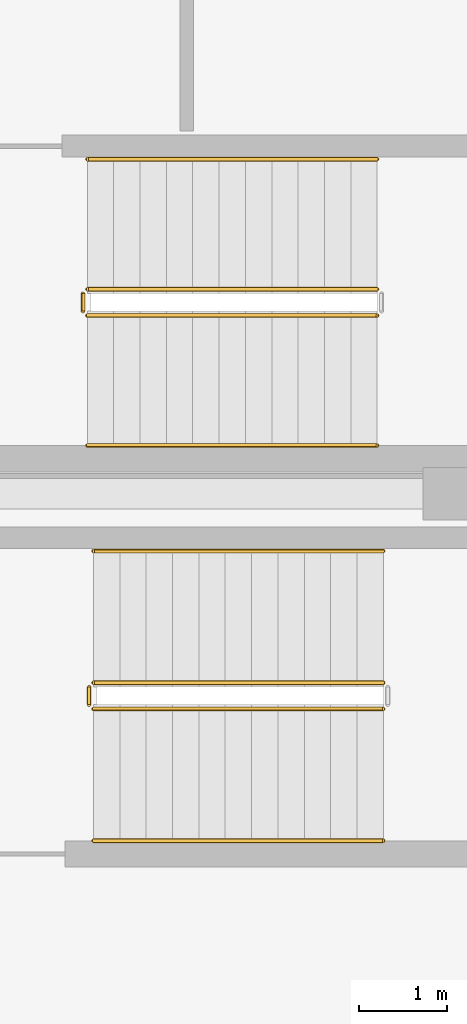
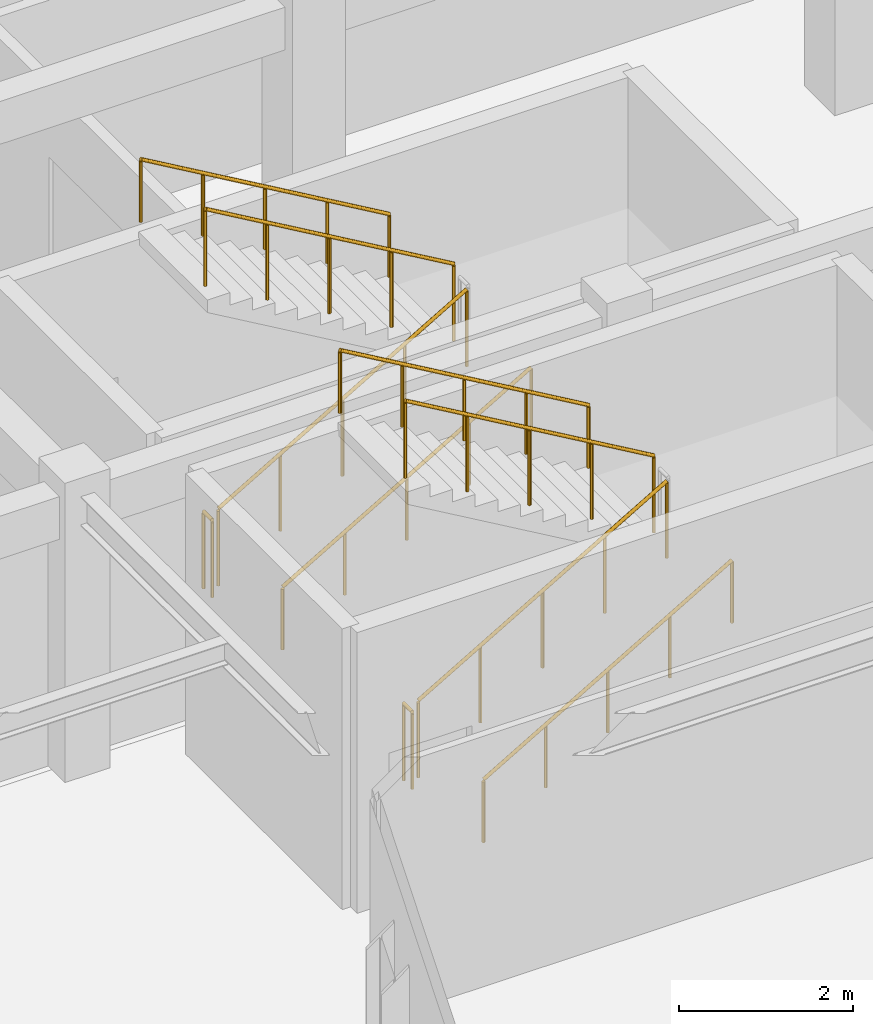
# One storey, part 109 of 113: 10 railings.
"""IFC4 building model written with IfcOpenShell, lengths in metres."""

from ifc_helpers import new_model, si_unit, direction, frame, origin, origin_2d, place, context, subcontext, project, spatial, circle, extrude, material, layer, layer_set, type_object, element, save


model = new_model("IFC4")

# Units and contexts
model_context = context("Model", 3, precision=1e-05, world=origin(), true_north=direction((0.0, 1.0)))
body_context = subcontext(model_context, "Body", "Model", "MODEL_VIEW")
ifc_project = project(units=[si_unit("LENGTHUNIT", "METRE"), si_unit("AREAUNIT", "SQUARE_METRE"), si_unit("VOLUMEUNIT", "CUBIC_METRE"), si_unit("PLANEANGLEUNIT", "RADIAN"), si_unit("MASSUNIT", "GRAM", prefix="KILO")], contexts=[model_context])

# Site, building, storey
site_placement = place(None, origin())
site = spatial("IfcSite", under=ifc_project, at=site_placement, CompositionType="ELEMENT")
building_placement = place(site_placement, origin())
building = spatial("IfcBuilding", under=site, at=building_placement, Name="Carrowvane Square Congress Hotel", CompositionType="ELEMENT")
storey_placement = place(building_placement, frame((0.0, 0.0, 15.0)))
storey = spatial("IfcBuildingStorey", under=building, at=storey_placement, Name="L03", CompositionType="ELEMENT", Elevation=15.0)

# Railings
ifc_material_1 = material(Name="Stainless steel 316", Category="steel")
ifc_layer_1 = layer(ifc_material_1, 0.048095703125)
ifc_layer_set_1 = layer_set([ifc_layer_1], Name="Stainless steel 316")
railing_type_1 = type_object("IfcRailingType", Name="RLG-HR-900", PredefinedType="HANDRAIL", material=ifc_layer_set_1)
railing_1_placement = place(storey_placement, frame((137.14990234375, 87.85009765625, 0.175048828125)))
element("IfcRailing", 1, at=railing_1_placement, inside=storey, type_object=railing_type_1, Name="L03 ST8 stair handrail 1", PredefinedType="HANDRAIL", context=body_context, shape_type="SweptSolid", body=[
    extrude(circle(Radius=0.02392578125, at=origin_2d()), frame((0.0, 0.0, 0.8759765625), z_axis=(0.863776583165, 0.0, 0.503874998761), x_axis=(0.0, 1.0, 0.0)), (0.0, 0.0, 1.0), 3.820556640625),
    extrude(circle(Radius=0.02099609375, at=origin_2d()), origin(), (0.0, 0.0, 1.0), 0.851806640625),
    extrude(circle(Radius=0.02099609375, at=origin_2d()), frame((0.824951171875, 0.0, 0.481201171875)), (0.0, 0.0, 1.0), 0.851806640625),
    extrude(circle(Radius=0.02099609375, at=origin_2d()), frame((1.64990234375, 0.0, 0.96240234375)), (0.0, 0.0, 1.0), 0.851806640625),
    extrude(circle(Radius=0.02099609375, at=origin_2d()), frame((2.47509765625, 0.0, 1.44384765625)), (0.0, 0.0, 1.0), 0.851806640625),
    extrude(circle(Radius=0.02099609375, at=origin_2d()), frame((3.300048828125, 0.0, 1.925048828125)), (0.0, 0.0, 1.0), 0.851806640625),
])
railing_2_placement = place(storey_placement, frame((140.449951171875, 91.14990234375, 2.27490234375)))
element("IfcRailing", 2, at=railing_2_placement, inside=storey, type_object=railing_type_1, Name="L03 ST8 stair handrail 2", PredefinedType="HANDRAIL", context=body_context, shape_type="SweptSolid", body=[
    extrude(circle(Radius=0.02392578125, at=origin_2d()), frame((0.0, 0.0, 0.8759765625), z_axis=(-0.863776583165, 0.0, 0.503874998761), x_axis=(0.0, -1.0, 0.0)), (0.0, 0.0, 1.0), 3.820556640625),
    extrude(circle(Radius=0.02099609375, at=origin_2d()), origin(), (0.0, 0.0, 1.0), 0.851806640625),
    extrude(circle(Radius=0.02099609375, at=origin_2d()), frame((-0.824951171875, 0.0, 0.481201171875)), (0.0, 0.0, 1.0), 0.851806640625),
    extrude(circle(Radius=0.02099609375, at=origin_2d()), frame((-1.64990234375, 0.0, 0.96240234375)), (0.0, 0.0, 1.0), 0.851806640625),
    extrude(circle(Radius=0.02099609375, at=origin_2d()), frame((-2.47509765625, 0.0, 1.44384765625)), (0.0, 0.0, 1.0), 0.851806640625),
    extrude(circle(Radius=0.02099609375, at=origin_2d()), frame((-3.300048828125, 0.0, 1.925048828125)), (0.0, 0.0, 1.0), 0.851806640625),
])
railing_3_placement = place(storey_placement, frame((137.080078125, 92.35009765625, 0.175048828125)))
element("IfcRailing", 3, at=railing_3_placement, inside=storey, type_object=railing_type_1, Name="L03 ST12 stair handrail 1", PredefinedType="HANDRAIL", context=body_context, shape_type="SweptSolid", body=[
    extrude(circle(Radius=0.02392578125, at=origin_2d()), frame((0.0, 0.0, 0.8759765625), z_axis=(0.863760357493, 0.0, 0.503902812876), x_axis=(0.0, 1.0, 0.0)), (0.0, 0.0, 1.0), 3.8203125),
    extrude(circle(Radius=0.02099609375, at=origin_2d()), origin(), (0.0, 0.0, 1.0), 0.851806640625),
    extrude(circle(Radius=0.02099609375, at=origin_2d()), frame((0.824951171875, 0.0, 0.481201171875)), (0.0, 0.0, 1.0), 0.851806640625),
    extrude(circle(Radius=0.02099609375, at=origin_2d()), frame((1.64990234375, 0.0, 0.96240234375)), (0.0, 0.0, 1.0), 0.851806640625),
    extrude(circle(Radius=0.02099609375, at=origin_2d()), frame((2.474853515625, 0.0, 1.44384765625)), (0.0, 0.0, 1.0), 0.851806640625),
    extrude(circle(Radius=0.02099609375, at=origin_2d()), frame((3.2998046875, 0.0, 1.925048828125)), (0.0, 0.0, 1.0), 0.851806640625),
])
railing_4_placement = place(storey_placement, frame((140.3798828125, 95.610107421875, 2.27490234375)))
element("IfcRailing", 4, at=railing_4_placement, inside=storey, type_object=railing_type_1, Name="L03 ST12 stair handrail 2", PredefinedType="HANDRAIL", context=body_context, shape_type="SweptSolid", body=[
    extrude(circle(Radius=0.02392578125, at=origin_2d()), frame((0.0, 0.0, 0.8759765625), z_axis=(-0.863760357493, 0.0, 0.503902812876), x_axis=(0.0, -1.0, 0.0)), (0.0, 0.0, 1.0), 3.8203125),
    extrude(circle(Radius=0.02099609375, at=origin_2d()), origin(), (0.0, 0.0, 1.0), 0.851806640625),
    extrude(circle(Radius=0.02099609375, at=origin_2d()), frame((-0.824951171875, 0.0, 0.481201171875)), (0.0, 0.0, 1.0), 0.851806640625),
    extrude(circle(Radius=0.02099609375, at=origin_2d()), frame((-1.64990234375, 0.0, 0.96240234375)), (0.0, 0.0, 1.0), 0.851806640625),
    extrude(circle(Radius=0.02099609375, at=origin_2d()), frame((-2.474853515625, 0.0, 1.44384765625)), (0.0, 0.0, 1.0), 0.851806640625),
    extrude(circle(Radius=0.02099609375, at=origin_2d()), frame((-3.2998046875, 0.0, 1.925048828125)), (0.0, 0.0, 1.0), 0.851806640625),
])
ifc_material_2 = material(Name="Galvanised steel", Category="steel")
ifc_layer_2 = layer(ifc_material_2, 0.048095703125)
ifc_layer_set_2 = layer_set([ifc_layer_2], Name="Galvanised steel")
railing_type_2 = type_object("IfcRailingType", Name="RLG-STG-1100", PredefinedType="GUARDRAIL", material=ifc_layer_set_2)
railing_5_placement = place(storey_placement, frame((137.14990234375, 89.35009765625, 0.175048828125)))
element("IfcRailing", 5, at=railing_5_placement, inside=storey, type_object=railing_type_2, Name="L03 ST8 stair guard 1", PredefinedType="GUARDRAIL", context=body_context, shape_type="SweptSolid", body=[
    extrude(circle(Radius=0.02392578125, at=origin_2d()), frame((0.0, 0.0, 1.076171875), z_axis=(0.863776583165, 0.0, 0.503874998761), x_axis=(0.0, 1.0, 0.0)), (0.0, 0.0, 1.0), 3.820556640625),
    extrude(circle(Radius=0.02099609375, at=origin_2d()), origin(), (0.0, 0.0, 1.0), 1.052001953125),
    extrude(circle(Radius=0.02099609375, at=origin_2d()), frame((0.824951171875, 0.0, 0.481201171875)), (0.0, 0.0, 1.0), 1.052001953125),
    extrude(circle(Radius=0.02099609375, at=origin_2d()), frame((1.64990234375, 0.0, 0.96240234375)), (0.0, 0.0, 1.0), 1.052001953125),
    extrude(circle(Radius=0.02099609375, at=origin_2d()), frame((2.47509765625, 0.0, 1.44384765625)), (0.0, 0.0, 1.0), 1.052001953125),
    extrude(circle(Radius=0.02099609375, at=origin_2d()), frame((3.300048828125, 0.0, 1.925048828125)), (0.0, 0.0, 1.0), 1.052001953125),
])
railing_6_placement = place(storey_placement, frame((140.449951171875, 89.64990234375, 2.27490234375)))
element("IfcRailing", 6, at=railing_6_placement, inside=storey, type_object=railing_type_2, Name="L03 ST8 stair guard 3", PredefinedType="GUARDRAIL", context=body_context, shape_type="SweptSolid", body=[
    extrude(circle(Radius=0.02392578125, at=origin_2d()), frame((0.0, 0.0, 1.076171875), z_axis=(-0.863776583165, 0.0, 0.503874998761), x_axis=(0.0, -1.0, 0.0)), (0.0, 0.0, 1.0), 3.820556640625),
    extrude(circle(Radius=0.02099609375, at=origin_2d()), origin(), (0.0, 0.0, 1.0), 1.052001953125),
    extrude(circle(Radius=0.02099609375, at=origin_2d()), frame((-0.824951171875, 0.0, 0.481201171875)), (0.0, 0.0, 1.0), 1.052001953125),
    extrude(circle(Radius=0.02099609375, at=origin_2d()), frame((-1.64990234375, 0.0, 0.96240234375)), (0.0, 0.0, 1.0), 1.052001953125),
    extrude(circle(Radius=0.02099609375, at=origin_2d()), frame((-2.47509765625, 0.0, 1.44384765625)), (0.0, 0.0, 1.0), 1.052001953125),
    extrude(circle(Radius=0.02099609375, at=origin_2d()), frame((-3.300048828125, 0.0, 1.925048828125)), (0.0, 0.0, 1.0), 1.052001953125),
])
railing_7_placement = place(storey_placement, frame((137.10009765625, 89.39990234375, 0.0)))
element("IfcRailing", 7, at=railing_7_placement, inside=storey, type_object=railing_type_2, Name="L03 ST8 stair guard 4", PredefinedType="GUARDRAIL", context=body_context, shape_type="SweptSolid", body=[
    extrude(circle(Radius=0.02392578125, at=origin_2d()), frame((0.0, 0.0, 1.076171875), z_axis=(0.0, 1.0, 0.0), x_axis=(-1.0, 0.0, 0.0)), (0.0, 0.0, 1.0), 0.2001953125),
    extrude(circle(Radius=0.02099609375, at=origin_2d()), origin(), (0.0, 0.0, 1.0), 1.052001953125),
    extrude(circle(Radius=0.02099609375, at=origin_2d()), frame((0.0, 0.2001953125, 0.0)), (0.0, 0.0, 1.0), 1.052001953125),
])
railing_8_placement = place(storey_placement, frame((137.080078125, 93.830078125, 0.175048828125)))
element("IfcRailing", 8, at=railing_8_placement, inside=storey, type_object=railing_type_2, Name="L03 ST12 stair guard 1", PredefinedType="GUARDRAIL", context=body_context, shape_type="SweptSolid", body=[
    extrude(circle(Radius=0.02392578125, at=origin_2d()), frame((0.0, 0.0, 1.076171875), z_axis=(0.863760357493, 0.0, 0.503902812876), x_axis=(0.0, 1.0, 0.0)), (0.0, 0.0, 1.0), 3.8203125),
    extrude(circle(Radius=0.02099609375, at=origin_2d()), origin(), (0.0, 0.0, 1.0), 1.052001953125),
    extrude(circle(Radius=0.02099609375, at=origin_2d()), frame((0.824951171875, 0.0, 0.481201171875)), (0.0, 0.0, 1.0), 1.052001953125),
    extrude(circle(Radius=0.02099609375, at=origin_2d()), frame((1.64990234375, 0.0, 0.96240234375)), (0.0, 0.0, 1.0), 1.052001953125),
    extrude(circle(Radius=0.02099609375, at=origin_2d()), frame((2.474853515625, 0.0, 1.44384765625)), (0.0, 0.0, 1.0), 1.052001953125),
    extrude(circle(Radius=0.02099609375, at=origin_2d()), frame((3.2998046875, 0.0, 1.925048828125)), (0.0, 0.0, 1.0), 1.052001953125),
])
railing_9_placement = place(storey_placement, frame((140.3798828125, 94.1298828125, 2.27490234375)))
element("IfcRailing", 9, at=railing_9_placement, inside=storey, type_object=railing_type_2, Name="L03 ST12 stair guard 3", PredefinedType="GUARDRAIL", context=body_context, shape_type="SweptSolid", body=[
    extrude(circle(Radius=0.02392578125, at=origin_2d()), frame((0.0, 0.0, 1.076171875), z_axis=(-0.863760357493, 0.0, 0.503902812876), x_axis=(0.0, -1.0, 0.0)), (0.0, 0.0, 1.0), 3.8203125),
    extrude(circle(Radius=0.02099609375, at=origin_2d()), origin(), (0.0, 0.0, 1.0), 1.052001953125),
    extrude(circle(Radius=0.02099609375, at=origin_2d()), frame((-0.824951171875, 0.0, 0.481201171875)), (0.0, 0.0, 1.0), 1.052001953125),
    extrude(circle(Radius=0.02099609375, at=origin_2d()), frame((-1.64990234375, 0.0, 0.96240234375)), (0.0, 0.0, 1.0), 1.052001953125),
    extrude(circle(Radius=0.02099609375, at=origin_2d()), frame((-2.474853515625, 0.0, 1.44384765625)), (0.0, 0.0, 1.0), 1.052001953125),
    extrude(circle(Radius=0.02099609375, at=origin_2d()), frame((-3.2998046875, 0.0, 1.925048828125)), (0.0, 0.0, 1.0), 1.052001953125),
])
railing_10_placement = place(storey_placement, frame((137.030029296875, 93.8798828125, 0.0)))
element("IfcRailing", 10, at=railing_10_placement, inside=storey, type_object=railing_type_2, Name="L03 ST12 stair guard 4", PredefinedType="GUARDRAIL", context=body_context, shape_type="SweptSolid", body=[
    extrude(circle(Radius=0.02392578125, at=origin_2d()), frame((0.0, 0.0, 1.076171875), z_axis=(0.0, 1.0, 0.0), x_axis=(-1.0, 0.0, 0.0)), (0.0, 0.0, 1.0), 0.2001953125),
    extrude(circle(Radius=0.02099609375, at=origin_2d()), origin(), (0.0, 0.0, 1.0), 1.052001953125),
    extrude(circle(Radius=0.02099609375, at=origin_2d()), frame((0.0, 0.2001953125, 0.0)), (0.0, 0.0, 1.0), 1.052001953125),
])

save(model, "model.ifc")
